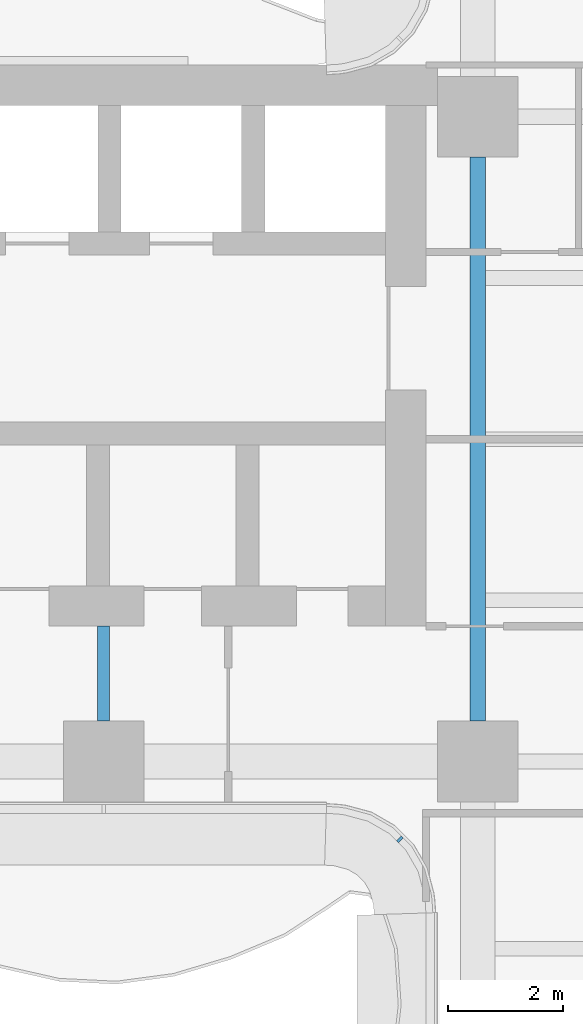
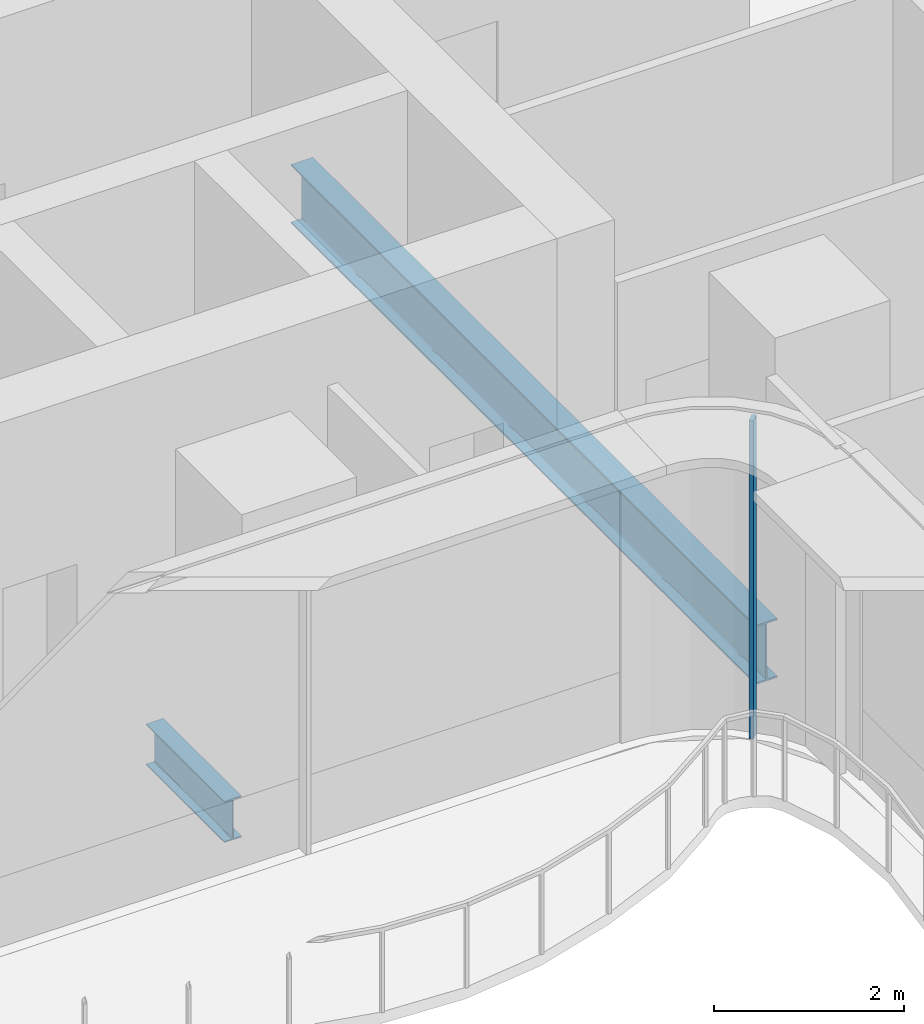
# One storey, part 4 of 22: 2 beams, 1 member, 1 element without a shape of its own.
"""IFC4 building model written with IfcOpenShell, lengths in metres."""

from ifc_helpers import new_model, si_unit, direction, frame, origin, origin_2d, place, context, subcontext, project, spatial, rectangle, i_section, extrude, source, transform, mapped, material, layer, layer_set, material_profile, profile_set, type_object, element, aggregate, save


model = new_model("IFC4")

# Units and contexts
model_context = context("Model", 3, precision=1e-05, world=origin(), true_north=direction((0.0, 1.0)))
body_context = subcontext(model_context, "Body", "Model", "MODEL_VIEW")
ifc_project = project(units=[si_unit("LENGTHUNIT", "METRE"), si_unit("AREAUNIT", "SQUARE_METRE"), si_unit("VOLUMEUNIT", "CUBIC_METRE"), si_unit("PLANEANGLEUNIT", "RADIAN"), si_unit("MASSUNIT", "GRAM", prefix="KILO")], contexts=[model_context])

# Site, building, storey
site_placement = place(None, origin())
site = spatial("IfcSite", under=ifc_project, at=site_placement, CompositionType="ELEMENT")
building_placement = place(site_placement, origin())
building = spatial("IfcBuilding", under=site, at=building_placement, Name="Trellis Farm Tower", CompositionType="ELEMENT")
storey_placement = place(building_placement, frame((0.0, 0.0, 65.5)))
storey = spatial("IfcBuildingStorey", under=building, at=storey_placement, Name="L13", CompositionType="ELEMENT", Elevation=65.5)

# Beams
ifc_material_1 = material(Name="Steel S355", Category="steel")
ifc_material_profile_1 = material_profile(ifc_material_1, i_section(OverallWidth=0.2666015625, OverallDepth=0.76220703125, WebThickness=0.014404296875, FlangeThickness=0.021484375, FilletRadius=0.0166015625, at=origin_2d()), Name="UB 762x267x173")
ifc_profile_set_1 = profile_set([ifc_material_profile_1], Name="Steel S355")
beam_type_1 = type_object("IfcBeamType", Name="UB 762x267x173", PredefinedType="BEAM", material=ifc_profile_set_1)
shared_shape_1 = source(origin(), body_context, "Body", "SweptSolid", [
    extrude(i_section(OverallWidth=0.2666015625, OverallDepth=0.76220703125, WebThickness=0.014404296875, FlangeThickness=0.021484375, FilletRadius=0.0166015625, at=origin_2d()), origin(), (0.0, 0.0, 1.0), 9.7998046875),
])
beam_1_placement = place(storey_placement, frame((-5.60009765625, -4.89990234375, -0.631103515625), z_axis=(0.0, 1.0, 0.0), x_axis=(-1.0, 0.0, 0.0)))
element("IfcBeam", 1, at=beam_1_placement, inside=storey, type_object=beam_type_1, Name="Girder", PredefinedType="BEAM", context=body_context, shape_type="MappedRepresentation", body=[
    mapped(shared_shape_1, transform((0.0, 0.0, 0.0))),
])
ifc_material_profile_2 = material_profile(ifc_material_1, i_section(OverallWidth=0.209228515625, OverallDepth=0.533203125, WebThickness=0.010009765625, FlangeThickness=0.015625, FilletRadius=0.0126953125, at=origin_2d()), Name="UB 533x210x92")
ifc_profile_set_2 = profile_set([ifc_material_profile_2], Name="Steel S355")
beam_type_2 = type_object("IfcBeamType", Name="UB 533x210x92", PredefinedType="BEAM", material=ifc_profile_set_2)
shared_shape_2 = source(origin(), body_context, "Body", "SweptSolid", [
    extrude(i_section(OverallWidth=0.209228515625, OverallDepth=0.533203125, WebThickness=0.010009765625, FlangeThickness=0.015625, FilletRadius=0.0126953125, at=origin_2d()), origin(), (0.0, 0.0, 1.0), 1.64990234375),
])
beam_2_placement = place(storey_placement, frame((-12.10009765625, -4.89990234375, -0.5166015625), z_axis=(0.0, 1.0, 0.0), x_axis=(-1.0, 0.0, 0.0)))
element("IfcBeam", 2, at=beam_2_placement, inside=storey, type_object=beam_type_2, Name="Girder", PredefinedType="BEAM", context=body_context, shape_type="MappedRepresentation", body=[
    mapped(shared_shape_2, transform((0.0, 0.0, 0.0))),
])

# Curtain wall, member
ifc_material_2 = material(Name="Aluminium and glass curtain wall", Category="aluminium")
ifc_layer = layer(ifc_material_2, 0.166015625)
ifc_layer_set = layer_set([ifc_layer], Name="WINTER GARDEN CURTAIN WALL CW3")
curtain_wall_type = type_object("IfcCurtainWallType", Name="WINTER GARDEN CURTAIN WALL CW3", PredefinedType="NOTDEFINED", material=ifc_layer_set)
curtain_wall_placement = place(storey_placement, origin())
curtain_wall = element("IfcCurtainWall", 3, at=curtain_wall_placement, inside=storey, type_object=curtain_wall_type, Name="CW3 001", PredefinedType="NOTDEFINED")
ifc_material_3 = material(Name="Aluminium extrusion 6063-T6", Category="aluminium")
ifc_material_profile_3 = material_profile(ifc_material_3, rectangle(XDim=0.050048828125, YDim=0.1201171875, at=origin_2d()), Name="MULLION 50x120")
ifc_profile_set_3 = profile_set([ifc_material_profile_3], Name="Aluminium extrusion 6063-T6")
member_type = type_object("IfcMemberType", Name="CW3 MULLION 50x120", PredefinedType="MULLION", material=ifc_profile_set_3)
shared_shape_3 = source(origin(), body_context, "Body", "SweptSolid", [
    extrude(rectangle(XDim=0.050048828125, YDim=0.1201171875, at=origin_2d()), origin(), (0.0, 0.0, 1.0), 4.10009765625),
])
member_placement = place(storey_placement, frame((-6.953125, -6.953125, 0.0), z_axis=(0.0, 0.0, 1.0), x_axis=(0.707106781187, -0.707106781187, 0.0)))
member = element("IfcMember", 4, at=member_placement, type_object=member_type, Name="MU3 001-01", PredefinedType="MULLION", context=body_context, shape_type="MappedRepresentation", body=[
    mapped(shared_shape_3, transform((0.0, 0.0, 0.0))),
])
aggregate(curtain_wall, [member])

save(model, "model.ifc")
